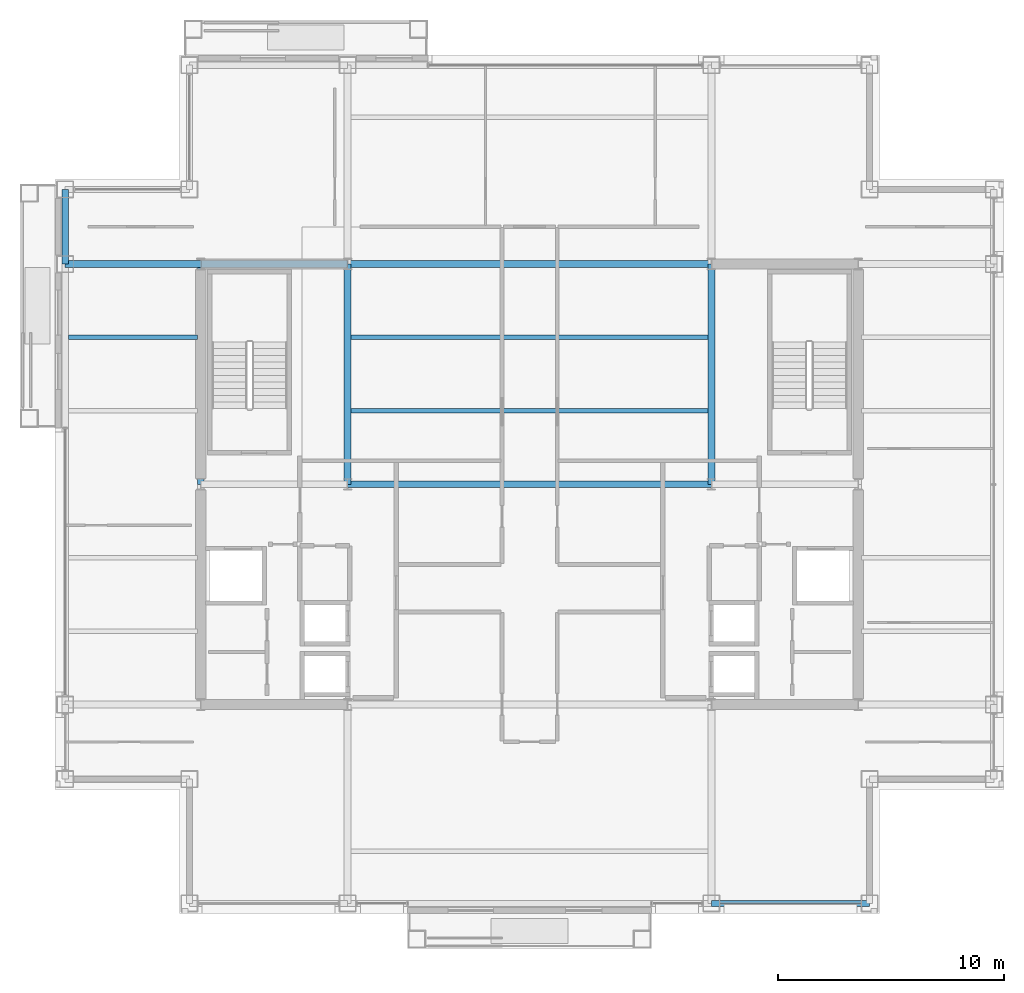
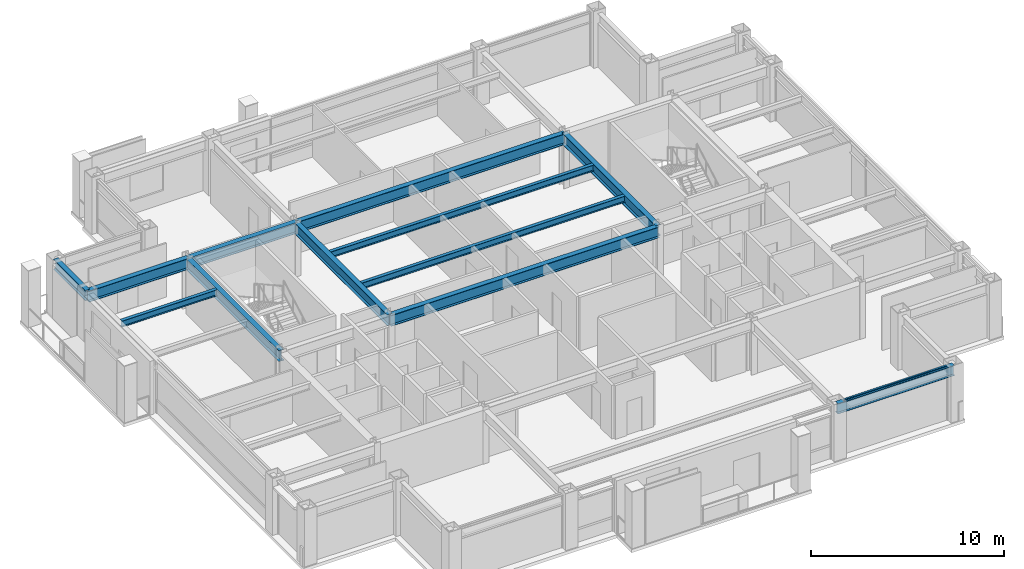
# One storey, part 10 of 28: 12 beams, 1 member, 1 element without a shape of its own.
"""IFC4 building model written with IfcOpenShell, lengths in metres."""

import ifcopenshell
import ifcopenshell.guid

model = None  # the IFC model being written
_history = None  # IfcOwnerHistory: only IFC2X3 demands one
_inside = {}  # id of a spatial element -> (the spatial element, [elements in it])
_under = {}  # id of a project, library or spatial element -> (it, [spatial elements below it])
_declared = {}  # id of a project -> (the project, [libraries it declares])
_typed = {}  # id of a type object -> (the type object, [elements of that type])
_made_of = {}  # id of a material, layer set ... -> (it, [elements and type objects made of it])


def new_model(schema):
    """Start an empty IFC model of exactly this schema.

    Asked for "IFC4X3", IfcOpenShell would pick the latest addendum, in which some entities
    have other attributes; the version numbers below select the first issue.
    IFC2X3 requires an IfcOwnerHistory on every rooted entity: one is made here for all.
    """
    global model, _history
    if schema == "IFC4X3":
        model = ifcopenshell.file(schema_version=(4, 3, 0, 0))
    else:
        model = ifcopenshell.file(schema=schema)
    _inside.clear()
    _under.clear()
    _declared.clear()
    _typed.clear()
    _made_of.clear()
    _history = None
    if model.schema == "IFC2X3":
        org = make("IfcOrganization", Name="unknown")
        user = make(
            "IfcPersonAndOrganization",
            ThePerson=make("IfcPerson", FamilyName="unknown"),
            TheOrganization=org,
        )
        app = make(
            "IfcApplication",
            ApplicationDeveloper=org,
            Version="unknown",
            ApplicationFullName="unknown",
            ApplicationIdentifier="unknown",
        )
        _history = make(
            "IfcOwnerHistory",
            OwningUser=user,
            OwningApplication=app,
            ChangeAction="ADDED",
            CreationDate=0,
        )
    return model


def make(cls, **values):
    """One entity of the class cls with the attributes given. An attribute that is None is left unset."""
    return model.create_entity(
        cls, **{name: value for name, value in values.items() if value is not None}
    )


def rooted(cls, **values):
    """An entity with a GlobalId (a new one), such as an element, a storey or a relation."""
    return make(cls, GlobalId=ifcopenshell.guid.new(), OwnerHistory=_history, **values)


def si_unit(unit_type, name, prefix=None):
    """IfcSIUnit, for example si_unit("LENGTHUNIT", "METRE", prefix="MILLI")."""
    return make("IfcSIUnit", UnitType=unit_type, Prefix=prefix, Name=name)


def assignment(units):
    """IfcUnitAssignment: the units of a project."""
    return None if units is None else make("IfcUnitAssignment", Units=units)


def point(xyz):
    """IfcCartesianPoint."""
    return None if xyz is None else make("IfcCartesianPoint", Coordinates=xyz)


def direction(xyz):
    """IfcDirection."""
    return None if xyz is None else make("IfcDirection", DirectionRatios=xyz)


def frame(location, z_axis=None, x_axis=None):
    """IfcAxis2Placement3D, a coordinate frame: its origin and axes. An axis left out is left unset."""
    return make(
        "IfcAxis2Placement3D",
        Location=point(location),
        Axis=direction(z_axis),
        RefDirection=direction(x_axis),
    )


def frame_2d(location, x_axis=None):
    """IfcAxis2Placement2D, a coordinate frame in the plane: its origin and x axis."""
    return make(
        "IfcAxis2Placement2D", Location=point(location), RefDirection=direction(x_axis)
    )


def origin():
    """The frame at (0, 0, 0) with its axes left unset."""
    return frame((0.0, 0.0, 0.0))


def origin_2d():
    """The frame at (0, 0) in the plane with its x axis left unset."""
    return frame_2d((0.0, 0.0))


def place(relative_to, where):
    """IfcLocalPlacement: puts the frame where relative to a parent placement (None: the world)."""
    return make(
        "IfcLocalPlacement", PlacementRelTo=relative_to, RelativePlacement=where
    )


def context(
    kind, dimensions, precision=None, world=None, true_north=None, identifier=None
):
    """IfcGeometricRepresentationContext, for example the 3D "Model" context."""
    return make(
        "IfcGeometricRepresentationContext",
        ContextIdentifier=identifier,
        ContextType=kind,
        CoordinateSpaceDimension=dimensions,
        Precision=precision,
        WorldCoordinateSystem=world,
        TrueNorth=true_north,
    )


def subcontext(parent, identifier, kind, view, scale=None):
    """IfcGeometricRepresentationSubContext, for example "Body" below "Model"."""
    return make(
        "IfcGeometricRepresentationSubContext",
        ContextIdentifier=identifier,
        ContextType=kind,
        ParentContext=parent,
        TargetScale=scale,
        TargetView=view,
    )


def project(units=None, contexts=None):
    """IfcProject with its units and contexts."""
    return rooted(
        "IfcProject",
        Name="project",
        RepresentationContexts=contexts,
        UnitsInContext=assignment(units),
    )


def spatial(cls, under=None, at=None, **own):
    """A site, building, storey or space (cls), placed at a placement, below another one or the project."""
    s = rooted(cls, ObjectPlacement=at, **own)
    if under is not None:
        _under.setdefault(under.id(), (under, []))[1].append(s)
    return s


def profile(cls, at=None, kind="AREA", **sizes):
    """A parametric profile (cls). Its sizes go by their IFC names, for example OverallWidth=200.0."""
    return make(cls, ProfileType=kind, Position=at, **sizes)


def hollow_rectangle(**sizes):
    """IfcRectangleHollowProfileDef."""
    return profile("IfcRectangleHollowProfileDef", **sizes)


def i_section(**sizes):
    """IfcIShapeProfileDef."""
    return profile("IfcIShapeProfileDef", **sizes)


def extrude(swept, where, along, depth):
    """IfcExtrudedAreaSolid: the profile swept, set in the frame where, extruded along a direction by depth."""
    return make(
        "IfcExtrudedAreaSolid",
        SweptArea=swept,
        Position=where,
        ExtrudedDirection=direction(along),
        Depth=depth,
    )


def shape(context_of_items, identifier, shape_type, items):
    """IfcShapeRepresentation: the items that make up one representation, for example the "Body"."""
    return make(
        "IfcShapeRepresentation",
        ContextOfItems=context_of_items,
        RepresentationIdentifier=identifier,
        RepresentationType=shape_type,
        Items=items,
    )


def material(Name=None, Category=None):
    """IfcMaterial."""
    return make("IfcMaterial", Name=Name, Category=Category)


def layer(
    of_material, thickness, ventilated=None, Name=None, Category=None, Priority=None
):
    """IfcMaterialLayer: one layer of a wall or slab, of a material (None: an air gap)."""
    return make(
        "IfcMaterialLayer",
        Material=of_material,
        LayerThickness=thickness,
        IsVentilated=ventilated,
        Name=Name,
        Category=Category,
        Priority=Priority,
    )


def layer_set(layers, Name=None):
    """IfcMaterialLayerSet."""
    return make("IfcMaterialLayerSet", MaterialLayers=layers, LayerSetName=Name)


def material_profile(
    of_material, cross_section, Name=None, Category=None, Priority=None
):
    """IfcMaterialProfile: a cross section and its material."""
    return make(
        "IfcMaterialProfile",
        Name=Name,
        Material=of_material,
        Profile=cross_section,
        Priority=Priority,
        Category=Category,
    )


def profile_set(profiles, Name=None, composite=None):
    """IfcMaterialProfileSet."""
    return make(
        "IfcMaterialProfileSet",
        Name=Name,
        MaterialProfiles=profiles,
        CompositeProfile=composite,
    )


def made_of(thing, what):
    """Note that an element or type object is made of a material, layer set ...; save() writes the relation."""
    if what is not None:
        _made_of.setdefault(what.id(), (what, []))[1].append(thing)
    return thing


def type_object(cls, material=None, **own):
    """A type object (cls), such as IfcWallType, which elements share."""
    return made_of(rooted(cls, **own), material)


def element(
    cls,
    number,
    at=None,
    inside=None,
    cuts=None,
    type_object=None,
    material=None,
    context=None,
    identifier="Body",
    shape_type=None,
    held_by="IfcProductDefinitionShape",
    body=None,
    shapes=None,
    **own,
):
    """One element of the class cls, such as IfcWall. Its Tag is "e" and its number.

    at: its placement. inside: the storey or other place that contains it. cuts: it is an
    opening in that element (IfcRelVoidsElement). A single representation is given by context,
    identifier, shape_type and body (its items); several are given by shapes. held_by: the class
    of the entity that holds the representations. save() writes the other relations.
    """
    e = rooted(cls, Tag="e%d" % number, ObjectPlacement=at, **own)
    if body is not None:
        shapes = [shape(context, identifier, shape_type, body)]
    if shapes is not None:
        e.Representation = make(held_by, Representations=shapes)
    if inside is not None:
        _inside.setdefault(inside.id(), (inside, []))[1].append(e)
    if cuts is not None:
        rooted(
            "IfcRelVoidsElement", RelatingBuildingElement=cuts, RelatedOpeningElement=e
        )
    if type_object is not None:
        _typed.setdefault(type_object.id(), (type_object, []))[1].append(e)
    return made_of(e, material)


def aggregate(whole, parts):
    """IfcRelAggregates: a whole, such as a stair, and the parts it consists of."""
    return rooted("IfcRelAggregates", RelatingObject=whole, RelatedObjects=parts)


def save(model, path):
    """Write the relations noted so far, then the file.

    IfcRelAggregates (storeys below a building ...), IfcRelContainedInSpatialStructure (elements
    in a storey), IfcRelDefinesByType, IfcRelAssociatesMaterial and IfcRelDeclares: one each for
    every whole, place, type object, material and project.
    """
    for whole, parts in _under.values():
        aggregate(whole, parts)
    for where, things in _inside.values():
        rooted(
            "IfcRelContainedInSpatialStructure",
            RelatedElements=things,
            RelatingStructure=where,
        )
    for kind, things in _typed.values():
        rooted("IfcRelDefinesByType", RelatedObjects=things, RelatingType=kind)
    for what, things in _made_of.values():
        rooted("IfcRelAssociatesMaterial", RelatedObjects=things, RelatingMaterial=what)
    for by, libraries in _declared.values():
        rooted("IfcRelDeclares", RelatingContext=by, RelatedDefinitions=libraries)
    model.write(path)


model = new_model("IFC4")

# Units and contexts
model_context = context("Model", 3, precision=1e-05, world=origin(), true_north=direction((0.0, 1.0)))
body_context = subcontext(model_context, "Body", "Model", "MODEL_VIEW")
ifc_project = project(units=[si_unit("LENGTHUNIT", "METRE"), si_unit("AREAUNIT", "SQUARE_METRE"), si_unit("VOLUMEUNIT", "CUBIC_METRE"), si_unit("PLANEANGLEUNIT", "RADIAN"), si_unit("MASSUNIT", "GRAM", prefix="KILO")], contexts=[model_context])

# Site, building, storey
site_placement = place(None, origin())
site = spatial("IfcSite", under=ifc_project, at=site_placement, CompositionType="ELEMENT")
building_placement = place(site_placement, origin())
building = spatial("IfcBuilding", under=site, at=building_placement, Name="Brelmoor Portico Tower", CompositionType="ELEMENT")
storey_placement = place(building_placement, frame((0.0, 0.0, 165.89990234375)))
storey = spatial("IfcBuildingStorey", under=building, at=storey_placement, Name="L43", CompositionType="ELEMENT", Elevation=165.89990234375)

# Beams
ifc_material_1 = material(Name="Steel Q355B", Category="steel")
ifc_material_profile_1 = material_profile(ifc_material_1, i_section(OverallWidth=0.199951171875, OverallDepth=0.39990234375, WebThickness=0.008056640625, FlangeThickness=0.012939453125, at=origin_2d()), Name="HN 400x200x8x13")
ifc_profile_set_1 = profile_set([ifc_material_profile_1], Name="Steel Q355B")
beam_type_1 = type_object("IfcBeamType", Name="BM-JS-400", PredefinedType="JOIST", material=ifc_profile_set_1)
for number, where, z_axis, x_axis, name in (
    (1, (-7.89990234375, 3.25, 3.2001953125), (1.0, 0.0, 0.0), (0.0, 1.0, 0.0), "L43 Secondary Composite Joist JS-C02"),
    (2, (-7.89990234375, 6.5, 3.2001953125), (1.0, 0.0, 0.0), (0.0, 1.0, 0.0), "L43 Secondary Composite Joist JS-C03"),
):
    element("IfcBeam", number, at=place(storey_placement, frame(where, z_axis=z_axis, x_axis=x_axis)), inside=storey, type_object=beam_type_1, Name=name, PredefinedType="JOIST", context=body_context, shape_type="SweptSolid", body=[
        extrude(i_section(OverallWidth=0.199951171875, OverallDepth=0.39990234375, WebThickness=0.008056640625, FlangeThickness=0.012939453125, at=origin_2d()), origin(), (0.0, 0.0, 1.0), 15.7998046875),
    ])
beam_1_placement = place(storey_placement, frame((-20.409912109375, 6.5, 3.2001953125), z_axis=(1.0, 0.0, 0.0), x_axis=(0.0, 1.0, 0.0)))
element("IfcBeam", 3, at=beam_1_placement, inside=storey, type_object=beam_type_1, Name="L43 Secondary Wing Joist JS-W08", PredefinedType="JOIST", context=body_context, shape_type="SweptSolid", body=[
    extrude(i_section(OverallWidth=0.199951171875, OverallDepth=0.39990234375, WebThickness=0.008056640625, FlangeThickness=0.012939453125, at=origin_2d()), origin(), (0.0, 0.0, 1.0), 5.7099609375),
])
ifc_material_profile_2 = material_profile(ifc_material_1, i_section(OverallWidth=0.300048828125, OverallDepth=0.699951171875, WebThickness=0.012939453125, FlangeThickness=0.02392578125, at=origin_2d()), Name="HN 700x300x13x24")
ifc_profile_set_2 = profile_set([ifc_material_profile_2], Name="Steel Q355B")
beam_type_2 = type_object("IfcBeamType", Name="BM-PG-700", PredefinedType="BEAM", material=ifc_profile_set_2)
for number, where, z_axis, x_axis, name in (
    (4, (-14.550048828125, 0.0, 3.050048828125), (0.0, 1.0, 0.0), (-1.0, 0.0, 0.0), "L43 Primary Floor Girder PG-02"),
    (5, (-8.050048828125, 0.0, 3.050048828125), (0.0, 1.0, 0.0), (-1.0, 0.0, 0.0), "L43 Primary Floor Girder PG-04"),
    (6, (8.050048828125, 0.0, 3.050048828125), (0.0, 1.0, 0.0), (-1.0, 0.0, 0.0), "L43 Primary Floor Girder PG-07"),
):
    element("IfcBeam", number, at=place(storey_placement, frame(where, z_axis=z_axis, x_axis=x_axis)), inside=storey, type_object=beam_type_2, Name=name, PredefinedType="BEAM", context=body_context, shape_type="SweptSolid", body=[
        extrude(i_section(OverallWidth=0.300048828125, OverallDepth=0.699951171875, WebThickness=0.012939453125, FlangeThickness=0.02392578125, at=origin_2d()), origin(), (0.0, 0.0, 1.0), 9.75),
    ])
beam_2_placement = place(storey_placement, frame((-8.050048828125, 0.0, 3.050048828125), z_axis=(1.0, 0.0, 0.0), x_axis=(0.0, 1.0, 0.0)))
element("IfcBeam", 7, at=beam_2_placement, inside=storey, type_object=beam_type_2, Name="L43 Primary Floor Girder PG-17", PredefinedType="BEAM", context=body_context, shape_type="SweptSolid", body=[
    extrude(i_section(OverallWidth=0.300048828125, OverallDepth=0.699951171875, WebThickness=0.012939453125, FlangeThickness=0.02392578125, at=origin_2d()), origin(), (0.0, 0.0, 1.0), 16.10009765625),
])
beam_3_placement = place(storey_placement, frame((-20.550048828125, 9.75, 3.050048828125), z_axis=(1.0, 0.0, 0.0), x_axis=(0.0, 1.0, 0.0)))
element("IfcBeam", 8, at=beam_3_placement, inside=storey, type_object=beam_type_2, Name="L43 Primary Floor Girder PG-19", PredefinedType="BEAM", context=body_context, shape_type="SweptSolid", body=[
    extrude(i_section(OverallWidth=0.300048828125, OverallDepth=0.699951171875, WebThickness=0.012939453125, FlangeThickness=0.02392578125, at=origin_2d()), origin(), (0.0, 0.0, 1.0), 6.0),
])
beam_4_placement = place(storey_placement, frame((-14.550048828125, 9.75, 3.050048828125), z_axis=(1.0, 0.0, 0.0), x_axis=(0.0, 1.0, 0.0)))
element("IfcBeam", 9, at=beam_4_placement, inside=storey, type_object=beam_type_2, Name="L43 Primary Floor Girder PG-20", PredefinedType="BEAM", context=body_context, shape_type="SweptSolid", body=[
    extrude(i_section(OverallWidth=0.300048828125, OverallDepth=0.699951171875, WebThickness=0.012939453125, FlangeThickness=0.02392578125, at=origin_2d()), origin(), (0.0, 0.0, 1.0), 6.5),
])
beam_5_placement = place(storey_placement, frame((-8.050048828125, 9.75, 3.050048828125), z_axis=(1.0, 0.0, 0.0), x_axis=(0.0, 1.0, 0.0)))
element("IfcBeam", 10, at=beam_5_placement, inside=storey, type_object=beam_type_2, Name="L43 Primary Floor Girder PG-21", PredefinedType="BEAM", context=body_context, shape_type="SweptSolid", body=[
    extrude(i_section(OverallWidth=0.300048828125, OverallDepth=0.699951171875, WebThickness=0.012939453125, FlangeThickness=0.02392578125, at=origin_2d()), origin(), (0.0, 0.0, 1.0), 16.10009765625),
])
ifc_material_profile_3 = material_profile(ifc_material_1, i_section(OverallWidth=0.280029296875, OverallDepth=0.64990234375, WebThickness=0.012939453125, FlangeThickness=0.02197265625, at=origin_2d()), Name="HN 650x280x13x22")
ifc_profile_set_3 = profile_set([ifc_material_profile_3], Name="Steel Q355B")
beam_type_3 = type_object("IfcBeamType", Name="BM-SP-650", PredefinedType="SPANDREL", material=ifc_profile_set_3)
beam_6_placement = place(storey_placement, frame((8.050048828125, -18.550048828125, 3.0751953125), z_axis=(1.0, 0.0, 0.0), x_axis=(0.0, 1.0, 0.0)))
element("IfcBeam", 11, at=beam_6_placement, inside=storey, type_object=beam_type_3, Name="L43 Perimeter Spandrel Beam SP-03", PredefinedType="SPANDREL", context=body_context, shape_type="SweptSolid", body=[
    extrude(i_section(OverallWidth=0.280029296875, OverallDepth=0.64990234375, WebThickness=0.012939453125, FlangeThickness=0.02197265625, at=origin_2d()), origin(), (0.0, 0.0, 1.0), 7.0),
])
beam_7_placement = place(storey_placement, frame((-20.550048828125, 9.75, 3.0751953125), z_axis=(0.0, 1.0, 0.0), x_axis=(-1.0, 0.0, 0.0)))
element("IfcBeam", 12, at=beam_7_placement, inside=storey, type_object=beam_type_3, Name="L43 Perimeter Spandrel Beam SP-13", PredefinedType="SPANDREL", context=body_context, shape_type="SweptSolid", body=[
    extrude(i_section(OverallWidth=0.280029296875, OverallDepth=0.64990234375, WebThickness=0.012939453125, FlangeThickness=0.02197265625, at=origin_2d()), origin(), (0.0, 0.0, 1.0), 3.300048828125),
])

# Curtain wall, member
ifc_material_2 = material(Name="Anodised Aluminium Alloy 6063-T6", Category="aluminium")
ifc_layer = layer(ifc_material_2, 0.179931640625)
ifc_layer_set = layer_set([ifc_layer], Name="Anodised Aluminium Alloy 6063-T6")
curtain_wall_type = type_object("IfcCurtainWallType", Name="CW-TOWER-Z3-XB", PredefinedType="NOTDEFINED", material=ifc_layer_set)
curtain_wall_placement = place(storey_placement, origin())
curtain_wall = element("IfcCurtainWall", 13, at=curtain_wall_placement, inside=storey, type_object=curtain_wall_type, Name="L43 Curtain Wall CW-L43-1R-2", PredefinedType="NOTDEFINED")
ifc_material_profile_4 = material_profile(ifc_material_2, hollow_rectangle(XDim=0.06005859375, YDim=0.125, WallThickness=0.00341796875, at=origin_2d()), Name="ALU TRANSOM 60x125")
ifc_profile_set_4 = profile_set([ifc_material_profile_4], Name="Anodised Aluminium Alloy 6063-T6")
member_type = type_object("IfcMemberType", Name="MB-CW-TRAN-125", PredefinedType="USERDEFINED", material=ifc_profile_set_4)
member_placement = place(storey_placement, frame((8.43505859375, -18.550048828125, 3.337646484375), z_axis=(1.0, 0.0, 0.0), x_axis=(0.0, 1.0, 0.0)))
member = element("IfcMember", 14, at=member_placement, type_object=member_type, Name="CW-L43-1R-2 Transom 1-00", ObjectType="TRANSOM", PredefinedType="USERDEFINED", context=body_context, shape_type="SweptSolid", body=[
    extrude(hollow_rectangle(XDim=0.06005859375, YDim=0.125, WallThickness=0.00341796875, at=origin_2d()), origin(), (0.0, 0.0, 1.0), 6.22998046875),
])
aggregate(curtain_wall, [member])

save(model, "model.ifc")
